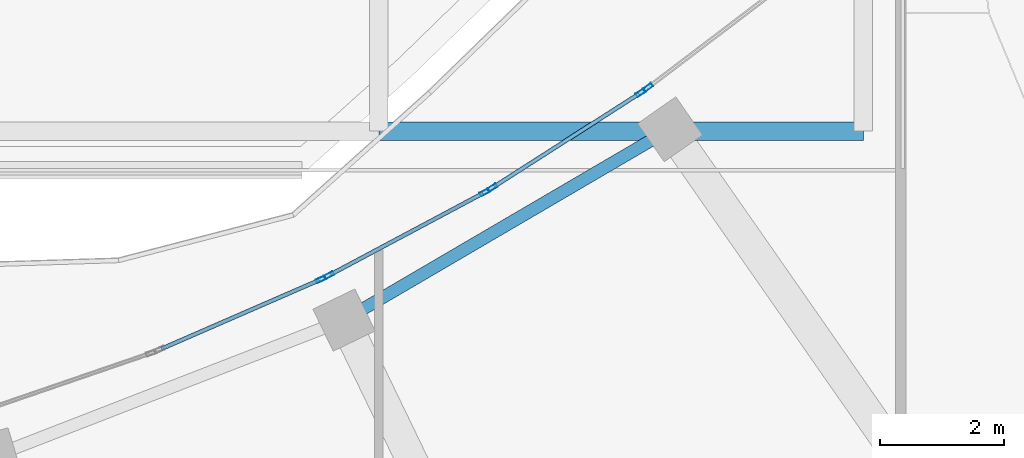
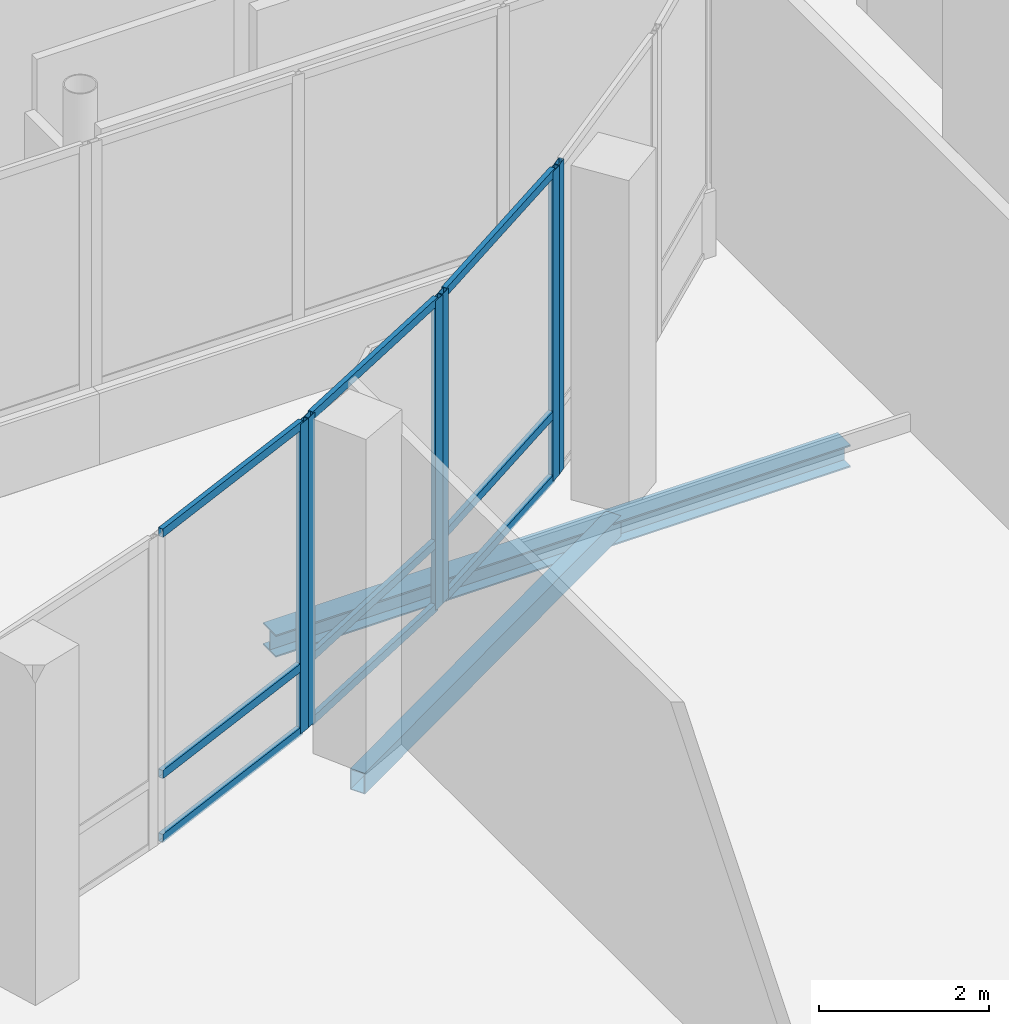
# One storey, part 54 of 168: 15 members, 2 beams, 4 elements without a shape of their own.
"""IFC4 building model written with IfcOpenShell, lengths in metres."""

from ifc_helpers import new_model, si_unit, direction, frame, origin, origin_2d, place, context, subcontext, project, spatial, hollow_rectangle, i_section, extrude, material, material_profile, profile_set, type_object, element, aggregate, save


model = new_model("IFC4")

# Units and contexts
model_context = context("Model", 3, precision=1e-05, world=origin(), true_north=direction((0.0, 1.0)))
body_context = subcontext(model_context, "Body", "Model", "MODEL_VIEW")
ifc_project = project(units=[si_unit("LENGTHUNIT", "METRE"), si_unit("AREAUNIT", "SQUARE_METRE"), si_unit("VOLUMEUNIT", "CUBIC_METRE"), si_unit("PLANEANGLEUNIT", "RADIAN"), si_unit("MASSUNIT", "GRAM", prefix="KILO")], contexts=[model_context])

# Site, building, storey
site_placement = place(None, origin())
site = spatial("IfcSite", under=ifc_project, at=site_placement, CompositionType="ELEMENT")
building_placement = place(site_placement, origin())
building = spatial("IfcBuilding", under=site, at=building_placement, Name="Selatvlak General Hospital", CompositionType="ELEMENT")
storey_placement = place(building_placement, frame((0.0, 0.0, 5.39990234375)))
storey = spatial("IfcBuildingStorey", under=building, at=storey_placement, Name="L01", CompositionType="ELEMENT", Elevation=5.39990234375)

# Beams
ifc_material_1 = material(Name="Steel S355", Category="steel")
ifc_material_profile_1 = material_profile(ifc_material_1, i_section(OverallWidth=0.300048828125, OverallDepth=0.320068359375, WebThickness=0.011474609375, FlangeThickness=0.0205078125, at=origin_2d()), Name="HEB 320")
ifc_profile_set_1 = profile_set([ifc_material_profile_1], Name="Steel S355")
beam_type_1 = type_object("IfcBeamType", Name="BM-CAN", PredefinedType="BEAM", material=ifc_profile_set_1)
beam_1_placement = place(storey_placement, frame((73.199951171875, 48.10009765625, -0.47998046875), z_axis=(1.0, 0.0, 0.0), x_axis=(0.0, 1.0, 0.0)))
element("IfcBeam", 1, at=beam_1_placement, inside=storey, type_object=beam_type_1, Name="Beam BMR-L01-2944", PredefinedType="BEAM", context=body_context, shape_type="SweptSolid", body=[
    extrude(i_section(OverallWidth=0.300048828125, OverallDepth=0.320068359375, WebThickness=0.011474609375, FlangeThickness=0.0205078125, at=origin_2d()), origin(), (0.0, 0.0, 1.0), 7.800048828125),
])
ifc_material_profile_2 = material_profile(ifc_material_1, hollow_rectangle(XDim=0.199951171875, YDim=0.300048828125, WallThickness=0.011962890625, at=origin_2d()), Name="RHS 300x200x12")
ifc_profile_set_2 = profile_set([ifc_material_profile_2], Name="Steel S355")
beam_type_2 = type_object("IfcBeamType", Name="BM-SP3", PredefinedType="SPANDREL", material=ifc_profile_set_2)
beam_2_placement = place(storey_placement, frame((72.639892578125, 45.06005859375, -0.469970703125), z_axis=(0.863043931414, 0.505128867172, 0.0), x_axis=(-0.505128867172, 0.863043931414, 0.0)))
element("IfcBeam", 2, at=beam_2_placement, inside=storey, type_object=beam_type_2, Name="Beam BMR-L01-0742", PredefinedType="SPANDREL", context=body_context, shape_type="SweptSolid", body=[
    extrude(hollow_rectangle(XDim=0.199951171875, YDim=0.300048828125, WallThickness=0.011962890625, at=origin_2d()), origin(), (0.0, 0.0, 1.0), 6.079833984375),
])

# Curtain wall, member
ifc_material_2 = material(Name="Solar-control Low-E double glazing", Category="glass")
curtain_wall_type_1 = type_object("IfcCurtainWallType", Name="CW-CW-01", PredefinedType="USERDEFINED", material=ifc_material_2)
curtain_wall_1_placement = place(storey_placement, origin())
curtain_wall_1 = element("IfcCurtainWall", 3, at=curtain_wall_1_placement, inside=storey, type_object=curtain_wall_type_1, Name="Glazed facade curtain wall CW-L01-0203", ObjectType="UNITISED CURTAIN WALL", PredefinedType="USERDEFINED")
ifc_material_3 = material(Name="Dark anodised aluminium mullion", Category="aluminium")
ifc_material_profile_3 = material_profile(ifc_material_3, hollow_rectangle(XDim=0.06494140625, YDim=0.159912109375, WallThickness=0.00390625, at=origin_2d()), Name="AL-MUL 65x160x4")
ifc_profile_set_3 = profile_set([ifc_material_profile_3], Name="Dark anodised aluminium mullion")
member_type_1 = type_object("IfcMemberType", Name="CWM-01", PredefinedType="MULLION", material=ifc_profile_set_3)
member_1_placement = place(storey_placement, frame((72.268310546875, 45.715087890625, 0.0), z_axis=(0.0, 0.0, 1.0), x_axis=(-0.399117101371, 0.916899961497, 0.0)))
member_1 = element("IfcMember", 4, at=member_1_placement, type_object=member_type_1, Name="CW-01 mullion 2", PredefinedType="MULLION", context=body_context, shape_type="SweptSolid", body=[
    extrude(hollow_rectangle(XDim=0.06494140625, YDim=0.159912109375, WallThickness=0.00390625, at=origin_2d()), origin(), (0.0, 0.0, 1.0), 4.445068359375),
])

# Curtain wall, members
curtain_wall_type_2 = type_object("IfcCurtainWallType", Name="CW-CW-02", PredefinedType="USERDEFINED", material=ifc_material_2)
curtain_wall_2_placement = place(storey_placement, origin())
curtain_wall_2 = element("IfcCurtainWall", 5, at=curtain_wall_2_placement, inside=storey, type_object=curtain_wall_type_2, Name="Glazed facade curtain wall CW-L01-0204", ObjectType="UNITISED CURTAIN WALL", PredefinedType="USERDEFINED")
member_2_placement = place(storey_placement, frame((72.397705078125, 45.7802734375, 0.0), z_axis=(0.0, 0.0, 1.0), x_axis=(-0.470338020096, 0.88248634372, 0.0)))
member_2 = element("IfcMember", 6, at=member_2_placement, type_object=member_type_1, Name="CW-02 mullion 1", PredefinedType="MULLION", context=body_context, shape_type="SweptSolid", body=[
    extrude(hollow_rectangle(XDim=0.06494140625, YDim=0.159912109375, WallThickness=0.00390625, at=origin_2d()), origin(), (0.0, 0.0, 1.0), 4.445068359375),
])
member_3_placement = place(storey_placement, frame((74.9033203125, 47.11572265625, 0.0), z_axis=(0.0, 0.0, 1.0), x_axis=(-0.470338020096, 0.88248634372, 0.0)))
member_3 = element("IfcMember", 7, at=member_3_placement, type_object=member_type_1, Name="CW-02 mullion 2", PredefinedType="MULLION", context=body_context, shape_type="SweptSolid", body=[
    extrude(hollow_rectangle(XDim=0.06494140625, YDim=0.159912109375, WallThickness=0.00390625, at=origin_2d()), origin(), (0.0, 0.0, 1.0), 4.445068359375),
])

curtain_wall_3_placement = place(storey_placement, origin())
curtain_wall_3 = element("IfcCurtainWall", 8, at=curtain_wall_3_placement, inside=storey, type_object=curtain_wall_type_1, Name="Glazed facade curtain wall CW-L01-0205", ObjectType="UNITISED CURTAIN WALL", PredefinedType="USERDEFINED")
member_4_placement = place(storey_placement, frame((75.02734375, 47.1904296875, 0.0), z_axis=(0.0, 0.0, 1.0), x_axis=(-0.539171082287, 0.842196262178, 0.0)))
member_4 = element("IfcMember", 9, at=member_4_placement, type_object=member_type_1, Name="CW-01 mullion 1", PredefinedType="MULLION", context=body_context, shape_type="SweptSolid", body=[
    extrude(hollow_rectangle(XDim=0.06494140625, YDim=0.159912109375, WallThickness=0.00390625, at=origin_2d()), origin(), (0.0, 0.0, 1.0), 4.445068359375),
])
member_5_placement = place(storey_placement, frame((77.41552734375, 48.719482421875, 0.0), z_axis=(0.0, 0.0, 1.0), x_axis=(-0.539171082287, 0.842196262178, 0.0)))
member_5 = element("IfcMember", 10, at=member_5_placement, type_object=member_type_1, Name="CW-01 mullion 2", PredefinedType="MULLION", context=body_context, shape_type="SweptSolid", body=[
    extrude(hollow_rectangle(XDim=0.06494140625, YDim=0.159912109375, WallThickness=0.00390625, at=origin_2d()), origin(), (0.0, 0.0, 1.0), 4.445068359375),
])

# Curtain wall, member
curtain_wall_4_placement = place(storey_placement, origin())
curtain_wall_4 = element("IfcCurtainWall", 11, at=curtain_wall_4_placement, inside=storey, type_object=curtain_wall_type_2, Name="Glazed facade curtain wall CW-L01-0206", ObjectType="UNITISED CURTAIN WALL", PredefinedType="USERDEFINED")
member_6_placement = place(storey_placement, frame((77.533935546875, 48.8037109375, 0.0), z_axis=(0.0, 0.0, 1.0), x_axis=(-0.604514782215, 0.796593922952, 0.0)))
member_6 = element("IfcMember", 12, at=member_6_placement, type_object=member_type_1, Name="CW-02 mullion 1", PredefinedType="MULLION", context=body_context, shape_type="SweptSolid", body=[
    extrude(hollow_rectangle(XDim=0.06494140625, YDim=0.159912109375, WallThickness=0.00390625, at=origin_2d()), origin(), (0.0, 0.0, 1.0), 4.445068359375),
])
aggregate(curtain_wall_4, [member_6])

# Member
ifc_material_profile_4 = material_profile(ifc_material_3, hollow_rectangle(XDim=0.06494140625, YDim=0.1201171875, WallThickness=0.00390625, at=origin_2d()), Name="AL-TRN 65x120x4")
ifc_profile_set_4 = profile_set([ifc_material_profile_4], Name="Dark anodised aluminium mullion")
member_type_2 = type_object("IfcMemberType", Name="CWT-01", PredefinedType="USERDEFINED", material=ifc_profile_set_4)
member_7_placement = place(storey_placement, frame((69.69970703125, 44.596923828125, 0.03271484375), z_axis=(0.916872279603, 0.399180689533, 0.0), x_axis=(-0.399180689533, 0.916872279603, 0.0)))
member_7 = element("IfcMember", 13, at=member_7_placement, type_object=member_type_2, Name="CW-01 transom 1.1", ObjectType="TRANSOM", PredefinedType="USERDEFINED", context=body_context, shape_type="SweptSolid", body=[
    extrude(hollow_rectangle(XDim=0.06494140625, YDim=0.1201171875, WallThickness=0.00390625, at=origin_2d()), origin(), (0.0, 0.0, 1.0), 2.768798828125),
])

member_8_placement = place(storey_placement, frame((69.69970703125, 44.596923828125, 0.9501953125), z_axis=(0.916872279603, 0.399180689533, 0.0), x_axis=(-0.399180689533, 0.916872279603, 0.0)))
member_8 = element("IfcMember", 14, at=member_8_placement, type_object=member_type_2, Name="CW-01 transom 1.2", ObjectType="TRANSOM", PredefinedType="USERDEFINED", context=body_context, shape_type="SweptSolid", body=[
    extrude(hollow_rectangle(XDim=0.06494140625, YDim=0.1201171875, WallThickness=0.00390625, at=origin_2d()), origin(), (0.0, 0.0, 1.0), 2.768798828125),
])

member_9_placement = place(storey_placement, frame((69.69970703125, 44.596923828125, 4.41259765625), z_axis=(0.916872279603, 0.399180689533, 0.0), x_axis=(-0.399180689533, 0.916872279603, 0.0)))
member_9 = element("IfcMember", 15, at=member_9_placement, type_object=member_type_2, Name="CW-01 transom 1.3", ObjectType="TRANSOM", PredefinedType="USERDEFINED", context=body_context, shape_type="SweptSolid", body=[
    extrude(hollow_rectangle(XDim=0.06494140625, YDim=0.1201171875, WallThickness=0.00390625, at=origin_2d()), origin(), (0.0, 0.0, 1.0), 2.768798828125),
])

aggregate(curtain_wall_1, [member_1, member_7, member_8, member_9])

member_10_placement = place(storey_placement, frame((72.42626953125, 45.795654296875, 0.03271484375), z_axis=(0.882528266183, 0.470259353323, 0.0), x_axis=(-0.470259353323, 0.882528266183, 0.0)))
member_10 = element("IfcMember", 16, at=member_10_placement, type_object=member_type_2, Name="CW-02 transom 1.1", ObjectType="TRANSOM", PredefinedType="USERDEFINED", context=body_context, shape_type="SweptSolid", body=[
    extrude(hollow_rectangle(XDim=0.06494140625, YDim=0.1201171875, WallThickness=0.00390625, at=origin_2d()), origin(), (0.0, 0.0, 1.0), 2.7744140625),
])

member_11_placement = place(storey_placement, frame((72.42626953125, 45.795654296875, 0.9501953125), z_axis=(0.882528266183, 0.470259353323, 0.0), x_axis=(-0.470259353323, 0.882528266183, 0.0)))
member_11 = element("IfcMember", 17, at=member_11_placement, type_object=member_type_2, Name="CW-02 transom 1.2", ObjectType="TRANSOM", PredefinedType="USERDEFINED", context=body_context, shape_type="SweptSolid", body=[
    extrude(hollow_rectangle(XDim=0.06494140625, YDim=0.1201171875, WallThickness=0.00390625, at=origin_2d()), origin(), (0.0, 0.0, 1.0), 2.7744140625),
])

member_12_placement = place(storey_placement, frame((72.42626953125, 45.795654296875, 4.41259765625), z_axis=(0.882528266183, 0.470259353323, 0.0), x_axis=(-0.470259353323, 0.882528266183, 0.0)))
member_12 = element("IfcMember", 18, at=member_12_placement, type_object=member_type_2, Name="CW-02 transom 1.3", ObjectType="TRANSOM", PredefinedType="USERDEFINED", context=body_context, shape_type="SweptSolid", body=[
    extrude(hollow_rectangle(XDim=0.06494140625, YDim=0.1201171875, WallThickness=0.00390625, at=origin_2d()), origin(), (0.0, 0.0, 1.0), 2.7744140625),
])

aggregate(curtain_wall_2, [member_2, member_3, member_10, member_11, member_12])

member_13_placement = place(storey_placement, frame((75.0546875, 47.2080078125, 0.03271484375), z_axis=(0.842196180284, 0.539171210207, 0.0), x_axis=(-0.539171210207, 0.842196180284, 0.0)))
member_13 = element("IfcMember", 19, at=member_13_placement, type_object=member_type_2, Name="CW-01 transom 1.1", ObjectType="TRANSOM", PredefinedType="USERDEFINED", context=body_context, shape_type="SweptSolid", body=[
    extrude(hollow_rectangle(XDim=0.06494140625, YDim=0.1201171875, WallThickness=0.00390625, at=origin_2d()), origin(), (0.0, 0.0, 1.0), 2.770751953125),
])

member_14_placement = place(storey_placement, frame((75.0546875, 47.2080078125, 0.9501953125), z_axis=(0.842196180284, 0.539171210207, 0.0), x_axis=(-0.539171210207, 0.842196180284, 0.0)))
member_14 = element("IfcMember", 20, at=member_14_placement, type_object=member_type_2, Name="CW-01 transom 1.2", ObjectType="TRANSOM", PredefinedType="USERDEFINED", context=body_context, shape_type="SweptSolid", body=[
    extrude(hollow_rectangle(XDim=0.06494140625, YDim=0.1201171875, WallThickness=0.00390625, at=origin_2d()), origin(), (0.0, 0.0, 1.0), 2.770751953125),
])

member_15_placement = place(storey_placement, frame((75.0546875, 47.2080078125, 4.41259765625), z_axis=(0.842196180284, 0.539171210207, 0.0), x_axis=(-0.539171210207, 0.842196180284, 0.0)))
member_15 = element("IfcMember", 21, at=member_15_placement, type_object=member_type_2, Name="CW-01 transom 1.3", ObjectType="TRANSOM", PredefinedType="USERDEFINED", context=body_context, shape_type="SweptSolid", body=[
    extrude(hollow_rectangle(XDim=0.06494140625, YDim=0.1201171875, WallThickness=0.00390625, at=origin_2d()), origin(), (0.0, 0.0, 1.0), 2.770751953125),
])

aggregate(curtain_wall_3, [member_4, member_5, member_13, member_14, member_15])

save(model, "model.ifc")
